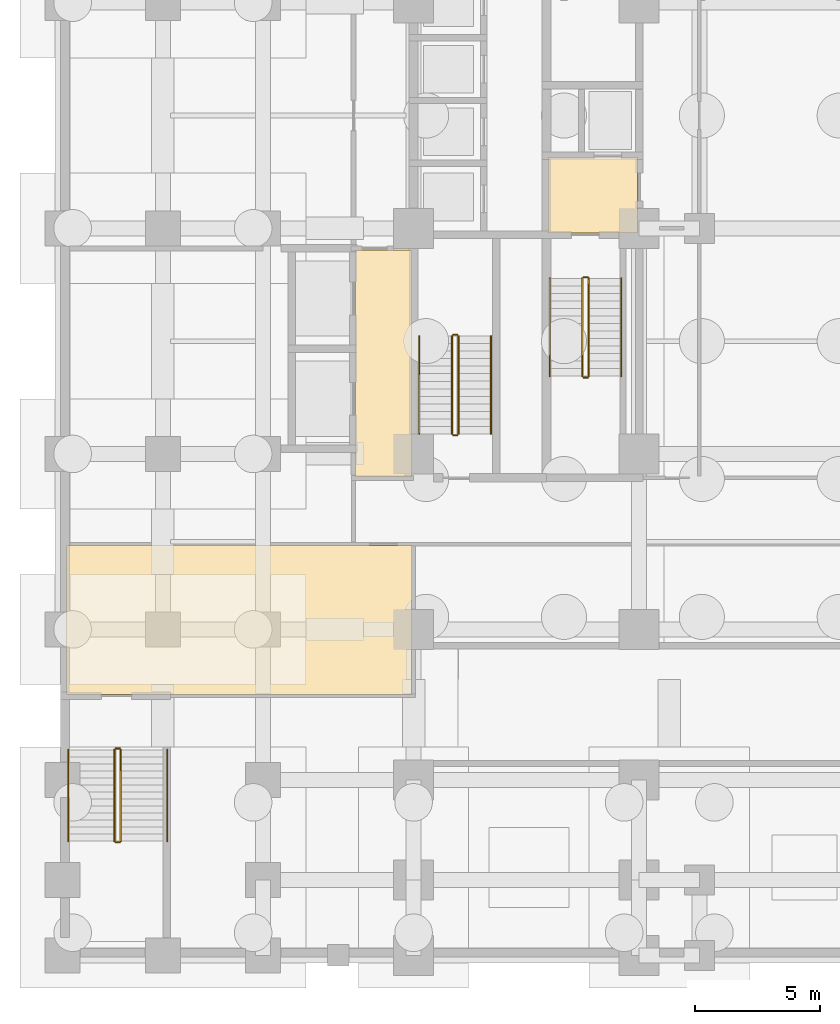
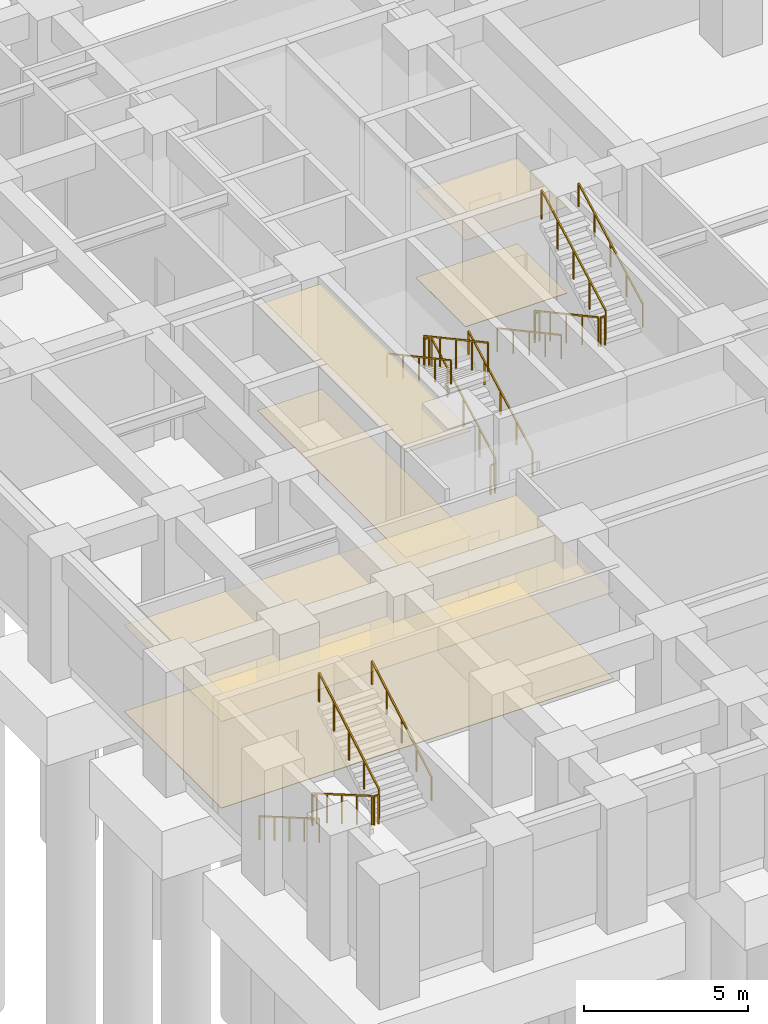
# One storey, part 10 of 16: 18 railings, 6 coverings.
"""IFC4 building model written with IfcOpenShell, lengths in metres."""

import ifcopenshell
import ifcopenshell.guid

model = None  # the IFC model being written
_history = None  # IfcOwnerHistory: only IFC2X3 demands one
_inside = {}  # id of a spatial element -> (the spatial element, [elements in it])
_under = {}  # id of a project, library or spatial element -> (it, [spatial elements below it])
_declared = {}  # id of a project -> (the project, [libraries it declares])
_typed = {}  # id of a type object -> (the type object, [elements of that type])
_made_of = {}  # id of a material, layer set ... -> (it, [elements and type objects made of it])


def new_model(schema):
    """Start an empty IFC model of exactly this schema.

    Asked for "IFC4X3", IfcOpenShell would pick the latest addendum, in which some entities
    have other attributes; the version numbers below select the first issue.
    IFC2X3 requires an IfcOwnerHistory on every rooted entity: one is made here for all.
    """
    global model, _history
    if schema == "IFC4X3":
        model = ifcopenshell.file(schema_version=(4, 3, 0, 0))
    else:
        model = ifcopenshell.file(schema=schema)
    _inside.clear()
    _under.clear()
    _declared.clear()
    _typed.clear()
    _made_of.clear()
    _history = None
    if model.schema == "IFC2X3":
        org = make("IfcOrganization", Name="unknown")
        user = make(
            "IfcPersonAndOrganization",
            ThePerson=make("IfcPerson", FamilyName="unknown"),
            TheOrganization=org,
        )
        app = make(
            "IfcApplication",
            ApplicationDeveloper=org,
            Version="unknown",
            ApplicationFullName="unknown",
            ApplicationIdentifier="unknown",
        )
        _history = make(
            "IfcOwnerHistory",
            OwningUser=user,
            OwningApplication=app,
            ChangeAction="ADDED",
            CreationDate=0,
        )
    return model


def make(cls, **values):
    """One entity of the class cls with the attributes given. An attribute that is None is left unset."""
    return model.create_entity(
        cls, **{name: value for name, value in values.items() if value is not None}
    )


def rooted(cls, **values):
    """An entity with a GlobalId (a new one), such as an element, a storey or a relation."""
    return make(cls, GlobalId=ifcopenshell.guid.new(), OwnerHistory=_history, **values)


def si_unit(unit_type, name, prefix=None):
    """IfcSIUnit, for example si_unit("LENGTHUNIT", "METRE", prefix="MILLI")."""
    return make("IfcSIUnit", UnitType=unit_type, Prefix=prefix, Name=name)


def assignment(units):
    """IfcUnitAssignment: the units of a project."""
    return None if units is None else make("IfcUnitAssignment", Units=units)


def point(xyz):
    """IfcCartesianPoint."""
    return None if xyz is None else make("IfcCartesianPoint", Coordinates=xyz)


def direction(xyz):
    """IfcDirection."""
    return None if xyz is None else make("IfcDirection", DirectionRatios=xyz)


def frame(location, z_axis=None, x_axis=None):
    """IfcAxis2Placement3D, a coordinate frame: its origin and axes. An axis left out is left unset."""
    return make(
        "IfcAxis2Placement3D",
        Location=point(location),
        Axis=direction(z_axis),
        RefDirection=direction(x_axis),
    )


def frame_2d(location, x_axis=None):
    """IfcAxis2Placement2D, a coordinate frame in the plane: its origin and x axis."""
    return make(
        "IfcAxis2Placement2D", Location=point(location), RefDirection=direction(x_axis)
    )


def origin():
    """The frame at (0, 0, 0) with its axes left unset."""
    return frame((0.0, 0.0, 0.0))


def origin_2d():
    """The frame at (0, 0) in the plane with its x axis left unset."""
    return frame_2d((0.0, 0.0))


def place(relative_to, where):
    """IfcLocalPlacement: puts the frame where relative to a parent placement (None: the world)."""
    return make(
        "IfcLocalPlacement", PlacementRelTo=relative_to, RelativePlacement=where
    )


def context(
    kind, dimensions, precision=None, world=None, true_north=None, identifier=None
):
    """IfcGeometricRepresentationContext, for example the 3D "Model" context."""
    return make(
        "IfcGeometricRepresentationContext",
        ContextIdentifier=identifier,
        ContextType=kind,
        CoordinateSpaceDimension=dimensions,
        Precision=precision,
        WorldCoordinateSystem=world,
        TrueNorth=true_north,
    )


def subcontext(parent, identifier, kind, view, scale=None):
    """IfcGeometricRepresentationSubContext, for example "Body" below "Model"."""
    return make(
        "IfcGeometricRepresentationSubContext",
        ContextIdentifier=identifier,
        ContextType=kind,
        ParentContext=parent,
        TargetScale=scale,
        TargetView=view,
    )


def project(units=None, contexts=None):
    """IfcProject with its units and contexts."""
    return rooted(
        "IfcProject",
        Name="project",
        RepresentationContexts=contexts,
        UnitsInContext=assignment(units),
    )


def spatial(cls, under=None, at=None, **own):
    """A site, building, storey or space (cls), placed at a placement, below another one or the project."""
    s = rooted(cls, ObjectPlacement=at, **own)
    if under is not None:
        _under.setdefault(under.id(), (under, []))[1].append(s)
    return s


def polyline(points):
    """IfcPolyline through the points."""
    return make("IfcPolyline", Points=[point(p) for p in points])


def profile(cls, at=None, kind="AREA", **sizes):
    """A parametric profile (cls). Its sizes go by their IFC names, for example OverallWidth=200.0."""
    return make(cls, ProfileType=kind, Position=at, **sizes)


def rectangle(**sizes):
    """IfcRectangleProfileDef."""
    return profile("IfcRectangleProfileDef", **sizes)


def outline(outer, holes=None, kind="AREA"):
    """IfcArbitraryClosedProfileDef: a profile drawn as a closed curve; with holes, ...WithVoids."""
    if holes is None:
        return make("IfcArbitraryClosedProfileDef", ProfileType=kind, OuterCurve=outer)
    return make(
        "IfcArbitraryProfileDefWithVoids",
        ProfileType=kind,
        OuterCurve=outer,
        InnerCurves=holes,
    )


def extrude(swept, where, along, depth):
    """IfcExtrudedAreaSolid: the profile swept, set in the frame where, extruded along a direction by depth."""
    return make(
        "IfcExtrudedAreaSolid",
        SweptArea=swept,
        Position=where,
        ExtrudedDirection=direction(along),
        Depth=depth,
    )


def shape(context_of_items, identifier, shape_type, items):
    """IfcShapeRepresentation: the items that make up one representation, for example the "Body"."""
    return make(
        "IfcShapeRepresentation",
        ContextOfItems=context_of_items,
        RepresentationIdentifier=identifier,
        RepresentationType=shape_type,
        Items=items,
    )


def material(Name=None, Category=None):
    """IfcMaterial."""
    return make("IfcMaterial", Name=Name, Category=Category)


def layer(
    of_material, thickness, ventilated=None, Name=None, Category=None, Priority=None
):
    """IfcMaterialLayer: one layer of a wall or slab, of a material (None: an air gap)."""
    return make(
        "IfcMaterialLayer",
        Material=of_material,
        LayerThickness=thickness,
        IsVentilated=ventilated,
        Name=Name,
        Category=Category,
        Priority=Priority,
    )


def layer_set(layers, Name=None):
    """IfcMaterialLayerSet."""
    return make("IfcMaterialLayerSet", MaterialLayers=layers, LayerSetName=Name)


def made_of(thing, what):
    """Note that an element or type object is made of a material, layer set ...; save() writes the relation."""
    if what is not None:
        _made_of.setdefault(what.id(), (what, []))[1].append(thing)
    return thing


def type_object(cls, material=None, **own):
    """A type object (cls), such as IfcWallType, which elements share."""
    return made_of(rooted(cls, **own), material)


def element(
    cls,
    number,
    at=None,
    inside=None,
    cuts=None,
    type_object=None,
    material=None,
    context=None,
    identifier="Body",
    shape_type=None,
    held_by="IfcProductDefinitionShape",
    body=None,
    shapes=None,
    **own,
):
    """One element of the class cls, such as IfcWall. Its Tag is "e" and its number.

    at: its placement. inside: the storey or other place that contains it. cuts: it is an
    opening in that element (IfcRelVoidsElement). A single representation is given by context,
    identifier, shape_type and body (its items); several are given by shapes. held_by: the class
    of the entity that holds the representations. save() writes the other relations.
    """
    e = rooted(cls, Tag="e%d" % number, ObjectPlacement=at, **own)
    if body is not None:
        shapes = [shape(context, identifier, shape_type, body)]
    if shapes is not None:
        e.Representation = make(held_by, Representations=shapes)
    if inside is not None:
        _inside.setdefault(inside.id(), (inside, []))[1].append(e)
    if cuts is not None:
        rooted(
            "IfcRelVoidsElement", RelatingBuildingElement=cuts, RelatedOpeningElement=e
        )
    if type_object is not None:
        _typed.setdefault(type_object.id(), (type_object, []))[1].append(e)
    return made_of(e, material)


def aggregate(whole, parts):
    """IfcRelAggregates: a whole, such as a stair, and the parts it consists of."""
    return rooted("IfcRelAggregates", RelatingObject=whole, RelatedObjects=parts)


def save(model, path):
    """Write the relations noted so far, then the file.

    IfcRelAggregates (storeys below a building ...), IfcRelContainedInSpatialStructure (elements
    in a storey), IfcRelDefinesByType, IfcRelAssociatesMaterial and IfcRelDeclares: one each for
    every whole, place, type object, material and project.
    """
    for whole, parts in _under.values():
        aggregate(whole, parts)
    for where, things in _inside.values():
        rooted(
            "IfcRelContainedInSpatialStructure",
            RelatedElements=things,
            RelatingStructure=where,
        )
    for kind, things in _typed.values():
        rooted("IfcRelDefinesByType", RelatedObjects=things, RelatingType=kind)
    for what, things in _made_of.values():
        rooted("IfcRelAssociatesMaterial", RelatedObjects=things, RelatingMaterial=what)
    for by, libraries in _declared.values():
        rooted("IfcRelDeclares", RelatingContext=by, RelatedDefinitions=libraries)
    model.write(path)


model = new_model("IFC4")

# Units and contexts
model_context = context("Model", 3, precision=1e-05, world=origin(), true_north=direction((0.0, 1.0)))
body_context = subcontext(model_context, "Body", "Model", "MODEL_VIEW")
ifc_project = project(units=[si_unit("LENGTHUNIT", "METRE"), si_unit("AREAUNIT", "SQUARE_METRE"), si_unit("VOLUMEUNIT", "CUBIC_METRE"), si_unit("PLANEANGLEUNIT", "RADIAN"), si_unit("MASSUNIT", "GRAM", prefix="KILO")], contexts=[model_context])

# Site, building, storey
site_placement = place(None, origin())
site = spatial("IfcSite", under=ifc_project, at=site_placement, CompositionType="ELEMENT")
building_placement = place(site_placement, origin())
building = spatial("IfcBuilding", under=site, at=building_placement, Name="Zulmaris Gate Convention Tower", CompositionType="ELEMENT")
storey_placement = place(building_placement, frame((0.0, 0.0, -9.10009765625)))
storey = spatial("IfcBuildingStorey", under=building, at=storey_placement, Name="B2", CompositionType="ELEMENT", Elevation=-9.10009765625)

# Coverings
ifc_material_1 = material(Name="Mineral Fibre Acoustic Ceiling Tile")
ifc_layer_1 = layer(ifc_material_1, 0.02001953125, Name="Mineral Fibre Acoustic Ceiling Tile")
ifc_layer_set_1 = layer_set([ifc_layer_1], Name="Mineral Fibre Acoustic Ceiling Tile")
covering_type_1 = type_object("IfcCoveringType", Name="CLG-ACOUSTIC-600", PredefinedType="CEILING", material=ifc_layer_set_1)
covering_1_placement = place(storey_placement, frame((0.0, 0.0, 3.210205078125)))
element("IfcCovering", 1, at=covering_1_placement, inside=storey, type_object=covering_type_1, Name="CLG-B2-R03", PredefinedType="CEILING", context=body_context, shape_type="SweptSolid", body=[
    extrude(outline(polyline([(-14.639892578125, -0.18994140625), (-11.06005859375, -0.18994140625), (-11.06005859375, 2.840087890625), (-14.639892578125, 2.840087890625), (-14.639892578125, -0.18994140625)])), origin(), (0.0, 0.0, 1.0), 0.019775390625),
])
covering_2_placement = place(storey_placement, frame((0.0, 0.0, 3.920166015625)))
element("IfcCovering", 2, at=covering_2_placement, inside=storey, type_object=covering_type_1, Name="CLG-B2-R24", PredefinedType="CEILING", context=body_context, shape_type="SweptSolid", body=[
    extrude(outline(polyline([(-22.340087890625, -9.889892578125), (-20.06005859375, -9.889892578125), (-20.06005859375, -0.860107421875), (-22.340087890625, -0.860107421875), (-22.340087890625, -9.889892578125)])), origin(), (0.0, 0.0, 1.0), 0.02001953125),
])
covering_3_placement = place(storey_placement, frame((0.0, 0.0, 3.210205078125)))
element("IfcCovering", 3, at=covering_3_placement, inside=storey, type_object=covering_type_1, Name="CLG-B2-R35", PredefinedType="CEILING", context=body_context, shape_type="SweptSolid", body=[
    extrude(outline(polyline([(-33.840087890625, -18.590087890625), (-20.06005859375, -18.590087890625), (-20.06005859375, -12.659912109375), (-33.840087890625, -12.659912109375), (-33.840087890625, -18.590087890625)])), origin(), (0.0, 0.0, 1.0), 0.019775390625),
])
ifc_material_2 = material(Name="Woven Acoustic Wool Carpet Tile")
ifc_layer_2 = layer(ifc_material_2, 0.02001953125, Name="Woven Acoustic Wool Carpet Tile")
ifc_layer_set_2 = layer_set([ifc_layer_2], Name="Woven Acoustic Wool Carpet Tile")
covering_type_2 = type_object("IfcCoveringType", Name="FLR-CARPET-12", PredefinedType="FLOORING", material=ifc_layer_set_2)
covering_4_placement = place(storey_placement, origin())
element("IfcCovering", 4, at=covering_4_placement, inside=storey, type_object=covering_type_2, Name="FLR-B2-R03", PredefinedType="FLOORING", context=body_context, shape_type="SweptSolid", body=[
    extrude(outline(polyline([(-14.639892578125, -0.18994140625), (-11.06005859375, -0.18994140625), (-11.06005859375, 2.840087890625), (-14.639892578125, 2.840087890625), (-14.639892578125, -0.18994140625)])), origin(), (0.0, 0.0, 1.0), 0.02001953125),
])
covering_5_placement = place(storey_placement, origin())
element("IfcCovering", 5, at=covering_5_placement, inside=storey, type_object=covering_type_2, Name="FLR-B2-R24", PredefinedType="FLOORING", context=body_context, shape_type="SweptSolid", body=[
    extrude(outline(polyline([(-22.340087890625, -9.889892578125), (-20.06005859375, -9.889892578125), (-20.06005859375, -0.860107421875), (-22.340087890625, -0.860107421875), (-22.340087890625, -9.889892578125)])), origin(), (0.0, 0.0, 1.0), 0.02001953125),
])
covering_6_placement = place(storey_placement, origin())
element("IfcCovering", 6, at=covering_6_placement, inside=storey, type_object=covering_type_2, Name="FLR-B2-R35", PredefinedType="FLOORING", context=body_context, shape_type="SweptSolid", body=[
    extrude(outline(polyline([(-33.840087890625, -18.590087890625), (-20.06005859375, -18.590087890625), (-20.06005859375, -12.659912109375), (-33.840087890625, -12.659912109375), (-33.840087890625, -18.590087890625)])), origin(), (0.0, 0.0, 1.0), 0.02001953125),
])

# Railings
ifc_material_3 = material(Name="Painted Galvanised Steel", Category="steel")
railing_type_1 = type_object("IfcRailingType", Name="RL-STG-1150", PredefinedType="GUARDRAIL", material=ifc_material_3)
railing_1_placement = place(storey_placement, frame((-13.27001953125, -2.0, 0.16259765625)))
element("IfcRailing", 7, at=railing_1_placement, inside=storey, type_object=railing_type_1, Name="B2 ST-1 stair guard 1", PredefinedType="GUARDRAIL", context=body_context, shape_type="SweptSolid", body=[
    extrude(rectangle(XDim=0.048095703125, YDim=0.048095703125, at=origin_2d()), frame((0.0, 0.0, 1.076171875), z_axis=(0.0, -0.879282361261, 0.476300880931), x_axis=(1.0, 0.0, 0.0)), (0.0, 0.0, 1.0), 4.435302734375),
    extrude(rectangle(XDim=0.0419921875, YDim=0.0419921875, at=origin_2d()), origin(), (0.0, 0.0, 1.0), 1.052001953125),
    extrude(rectangle(XDim=0.0419921875, YDim=0.0419921875, at=origin_2d()), frame((0.0, -0.97509765625, 0.528076171875)), (0.0, 0.0, 1.0), 1.052001953125),
    extrude(rectangle(XDim=0.0419921875, YDim=0.0419921875, at=origin_2d()), frame((0.0, -1.949951171875, 1.05615234375)), (0.0, 0.0, 1.0), 1.052001953125),
    extrude(rectangle(XDim=0.0419921875, YDim=0.0419921875, at=origin_2d()), frame((0.0, -2.9248046875, 1.58447265625)), (0.0, 0.0, 1.0), 1.052001953125),
    extrude(rectangle(XDim=0.0419921875, YDim=0.0419921875, at=origin_2d()), frame((0.0, -3.89990234375, 2.112548828125)), (0.0, 0.0, 1.0), 1.052001953125),
])
railing_2_placement = place(storey_placement, frame((-13.219970703125, -5.949951171875, 2.275146484375)))
element("IfcRailing", 8, at=railing_2_placement, inside=storey, type_object=railing_type_1, Name="B2 ST-1 stair guard 2", PredefinedType="GUARDRAIL", context=body_context, shape_type="SweptSolid", body=[
    extrude(rectangle(XDim=0.048095703125, YDim=0.048095703125, at=origin_2d()), frame((0.0, 0.0, 1.076171875), z_axis=(1.0, 0.0, 0.0), x_axis=(0.0, 1.0, 0.0)), (0.0, 0.0, 1.0), 0.159912109375),
    extrude(rectangle(XDim=0.0419921875, YDim=0.0419921875, at=origin_2d()), origin(), (0.0, 0.0, 1.0), 1.052001953125),
    extrude(rectangle(XDim=0.0419921875, YDim=0.0419921875, at=origin_2d()), frame((0.159912109375, 0.0, 0.0)), (0.0, 0.0, 1.0), 1.052001953125),
])
railing_3_placement = place(storey_placement, frame((-13.010009765625, -5.89990234375, 2.4375)))
element("IfcRailing", 9, at=railing_3_placement, inside=storey, type_object=railing_type_1, Name="B2 ST-1 stair guard 3", PredefinedType="GUARDRAIL", context=body_context, shape_type="SweptSolid", body=[
    extrude(rectangle(XDim=0.048095703125, YDim=0.048095703125, at=origin_2d()), frame((0.0, 0.0, 1.076171875), z_axis=(0.0, 0.879282361261, 0.476300880931), x_axis=(-1.0, 0.0, 0.0)), (0.0, 0.0, 1.0), 4.435302734375),
    extrude(rectangle(XDim=0.0419921875, YDim=0.0419921875, at=origin_2d()), origin(), (0.0, 0.0, 1.0), 1.052001953125),
    extrude(rectangle(XDim=0.0419921875, YDim=0.0419921875, at=origin_2d()), frame((0.0, 0.97509765625, 0.528076171875)), (0.0, 0.0, 1.0), 1.052001953125),
    extrude(rectangle(XDim=0.0419921875, YDim=0.0419921875, at=origin_2d()), frame((0.0, 1.949951171875, 1.05615234375)), (0.0, 0.0, 1.0), 1.052001953125),
    extrude(rectangle(XDim=0.0419921875, YDim=0.0419921875, at=origin_2d()), frame((0.0, 2.9248046875, 1.58447265625)), (0.0, 0.0, 1.0), 1.052001953125),
    extrude(rectangle(XDim=0.0419921875, YDim=0.0419921875, at=origin_2d()), frame((0.0, 3.89990234375, 2.112548828125)), (0.0, 0.0, 1.0), 1.052001953125),
])
railing_4_placement = place(storey_placement, frame((-13.219970703125, -1.949951171875, 0.0)))
element("IfcRailing", 10, at=railing_4_placement, inside=storey, type_object=railing_type_1, Name="B2 ST-1 stair guard 4", PredefinedType="GUARDRAIL", context=body_context, shape_type="SweptSolid", body=[
    extrude(rectangle(XDim=0.048095703125, YDim=0.048095703125, at=origin_2d()), frame((0.0, 0.0, 1.076171875), z_axis=(1.0, 0.0, 0.0), x_axis=(0.0, 1.0, 0.0)), (0.0, 0.0, 1.0), 0.159912109375),
    extrude(rectangle(XDim=0.0419921875, YDim=0.0419921875, at=origin_2d()), origin(), (0.0, 0.0, 1.0), 1.052001953125),
    extrude(rectangle(XDim=0.0419921875, YDim=0.0419921875, at=origin_2d()), frame((0.159912109375, 0.0, 0.0)), (0.0, 0.0, 1.0), 1.052001953125),
])
railing_5_placement = place(storey_placement, frame((-18.2099609375, -8.199951171875, 0.16259765625)))
element("IfcRailing", 11, at=railing_5_placement, inside=storey, type_object=railing_type_1, Name="B2 ST-3 stair guard 1", PredefinedType="GUARDRAIL", context=body_context, shape_type="SweptSolid", body=[
    extrude(rectangle(XDim=0.048095703125, YDim=0.048095703125, at=origin_2d()), frame((0.0, 0.0, 1.076171875), z_axis=(0.0, 0.879282361261, 0.476300880931), x_axis=(-1.0, 0.0, 0.0)), (0.0, 0.0, 1.0), 4.435302734375),
    extrude(rectangle(XDim=0.0419921875, YDim=0.0419921875, at=origin_2d()), origin(), (0.0, 0.0, 1.0), 1.052001953125),
    extrude(rectangle(XDim=0.0419921875, YDim=0.0419921875, at=origin_2d()), frame((0.0, 0.97509765625, 0.528076171875)), (0.0, 0.0, 1.0), 1.052001953125),
    extrude(rectangle(XDim=0.0419921875, YDim=0.0419921875, at=origin_2d()), frame((0.0, 1.949951171875, 1.05615234375)), (0.0, 0.0, 1.0), 1.052001953125),
    extrude(rectangle(XDim=0.0419921875, YDim=0.0419921875, at=origin_2d()), frame((0.0, 2.9248046875, 1.58447265625)), (0.0, 0.0, 1.0), 1.052001953125),
    extrude(rectangle(XDim=0.0419921875, YDim=0.0419921875, at=origin_2d()), frame((0.0, 3.89990234375, 2.112548828125)), (0.0, 0.0, 1.0), 1.052001953125),
])
railing_6_placement = place(storey_placement, frame((-18.260009765625, -4.25, 2.275146484375)))
element("IfcRailing", 12, at=railing_6_placement, inside=storey, type_object=railing_type_1, Name="B2 ST-3 stair guard 2", PredefinedType="GUARDRAIL", context=body_context, shape_type="SweptSolid", body=[
    extrude(rectangle(XDim=0.048095703125, YDim=0.048095703125, at=origin_2d()), frame((0.0, 0.0, 1.076171875), z_axis=(-1.0, 0.0, 0.0), x_axis=(0.0, -1.0, 0.0)), (0.0, 0.0, 1.0), 0.159912109375),
    extrude(rectangle(XDim=0.0419921875, YDim=0.0419921875, at=origin_2d()), origin(), (0.0, 0.0, 1.0), 1.052001953125),
    extrude(rectangle(XDim=0.0419921875, YDim=0.0419921875, at=origin_2d()), frame((-0.159912109375, 0.0, 0.0)), (0.0, 0.0, 1.0), 1.052001953125),
])
railing_7_placement = place(storey_placement, frame((-18.469970703125, -4.300048828125, 2.4375)))
element("IfcRailing", 13, at=railing_7_placement, inside=storey, type_object=railing_type_1, Name="B2 ST-3 stair guard 3", PredefinedType="GUARDRAIL", context=body_context, shape_type="SweptSolid", body=[
    extrude(rectangle(XDim=0.048095703125, YDim=0.048095703125, at=origin_2d()), frame((0.0, 0.0, 1.076171875), z_axis=(0.0, -0.879282361261, 0.476300880931), x_axis=(1.0, 0.0, 0.0)), (0.0, 0.0, 1.0), 4.435302734375),
    extrude(rectangle(XDim=0.0419921875, YDim=0.0419921875, at=origin_2d()), origin(), (0.0, 0.0, 1.0), 1.052001953125),
    extrude(rectangle(XDim=0.0419921875, YDim=0.0419921875, at=origin_2d()), frame((0.0, -0.97509765625, 0.528076171875)), (0.0, 0.0, 1.0), 1.052001953125),
    extrude(rectangle(XDim=0.0419921875, YDim=0.0419921875, at=origin_2d()), frame((0.0, -1.949951171875, 1.05615234375)), (0.0, 0.0, 1.0), 1.052001953125),
    extrude(rectangle(XDim=0.0419921875, YDim=0.0419921875, at=origin_2d()), frame((0.0, -2.9248046875, 1.58447265625)), (0.0, 0.0, 1.0), 1.052001953125),
    extrude(rectangle(XDim=0.0419921875, YDim=0.0419921875, at=origin_2d()), frame((0.0, -3.89990234375, 2.112548828125)), (0.0, 0.0, 1.0), 1.052001953125),
])
railing_8_placement = place(storey_placement, frame((-18.260009765625, -8.25, 0.0)))
element("IfcRailing", 14, at=railing_8_placement, inside=storey, type_object=railing_type_1, Name="B2 ST-3 stair guard 4", PredefinedType="GUARDRAIL", context=body_context, shape_type="SweptSolid", body=[
    extrude(rectangle(XDim=0.048095703125, YDim=0.048095703125, at=origin_2d()), frame((0.0, 0.0, 1.076171875), z_axis=(-1.0, 0.0, 0.0), x_axis=(0.0, -1.0, 0.0)), (0.0, 0.0, 1.0), 0.159912109375),
    extrude(rectangle(XDim=0.0419921875, YDim=0.0419921875, at=origin_2d()), origin(), (0.0, 0.0, 1.0), 1.052001953125),
    extrude(rectangle(XDim=0.0419921875, YDim=0.0419921875, at=origin_2d()), frame((-0.159912109375, 0.0, 0.0)), (0.0, 0.0, 1.0), 1.052001953125),
])
railing_9_placement = place(storey_placement, frame((-31.929931640625, -20.800048828125, 0.16259765625)))
element("IfcRailing", 15, at=railing_9_placement, inside=storey, type_object=railing_type_1, Name="B2 ST-4 stair guard 1", PredefinedType="GUARDRAIL", context=body_context, shape_type="SweptSolid", body=[
    extrude(rectangle(XDim=0.048095703125, YDim=0.048095703125, at=origin_2d()), frame((0.0, 0.0, 1.076171875), z_axis=(0.0, -0.864885630581, 0.501968969174), x_axis=(1.0, 0.0, 0.0)), (0.0, 0.0, 1.0), 4.20849609375),
    extrude(rectangle(XDim=0.0419921875, YDim=0.0419921875, at=origin_2d()), origin(), (0.0, 0.0, 1.0), 1.052001953125),
    extrude(rectangle(XDim=0.0419921875, YDim=0.0419921875, at=origin_2d()), frame((0.0, -0.909912109375, 0.528076171875)), (0.0, 0.0, 1.0), 1.052001953125),
    extrude(rectangle(XDim=0.0419921875, YDim=0.0419921875, at=origin_2d()), frame((0.0, -1.81982421875, 1.05615234375)), (0.0, 0.0, 1.0), 1.052001953125),
    extrude(rectangle(XDim=0.0419921875, YDim=0.0419921875, at=origin_2d()), frame((0.0, -2.72998046875, 1.58447265625)), (0.0, 0.0, 1.0), 1.052001953125),
    extrude(rectangle(XDim=0.0419921875, YDim=0.0419921875, at=origin_2d()), frame((0.0, -3.639892578125, 2.112548828125)), (0.0, 0.0, 1.0), 1.052001953125),
])
railing_10_placement = place(storey_placement, frame((-31.8798828125, -24.489990234375, 2.275146484375)))
element("IfcRailing", 16, at=railing_10_placement, inside=storey, type_object=railing_type_1, Name="B2 ST-4 stair guard 2", PredefinedType="GUARDRAIL", context=body_context, shape_type="SweptSolid", body=[
    extrude(rectangle(XDim=0.048095703125, YDim=0.048095703125, at=origin_2d()), frame((0.0, 0.0, 1.076171875), z_axis=(1.0, 0.0, 0.0), x_axis=(0.0, 1.0, 0.0)), (0.0, 0.0, 1.0), 0.14990234375),
    extrude(rectangle(XDim=0.0419921875, YDim=0.0419921875, at=origin_2d()), origin(), (0.0, 0.0, 1.0), 1.052001953125),
    extrude(rectangle(XDim=0.0419921875, YDim=0.0419921875, at=origin_2d()), frame((0.14990234375, 0.0, 0.0)), (0.0, 0.0, 1.0), 1.052001953125),
])
railing_11_placement = place(storey_placement, frame((-31.679931640625, -24.43994140625, 2.4375)))
element("IfcRailing", 17, at=railing_11_placement, inside=storey, type_object=railing_type_1, Name="B2 ST-4 stair guard 3", PredefinedType="GUARDRAIL", context=body_context, shape_type="SweptSolid", body=[
    extrude(rectangle(XDim=0.048095703125, YDim=0.048095703125, at=origin_2d()), frame((0.0, 0.0, 1.076171875), z_axis=(0.0, 0.864885630581, 0.501968969174), x_axis=(-1.0, 0.0, 0.0)), (0.0, 0.0, 1.0), 4.20849609375),
    extrude(rectangle(XDim=0.0419921875, YDim=0.0419921875, at=origin_2d()), origin(), (0.0, 0.0, 1.0), 1.052001953125),
    extrude(rectangle(XDim=0.0419921875, YDim=0.0419921875, at=origin_2d()), frame((0.0, 0.909912109375, 0.528076171875)), (0.0, 0.0, 1.0), 1.052001953125),
    extrude(rectangle(XDim=0.0419921875, YDim=0.0419921875, at=origin_2d()), frame((0.0, 1.81982421875, 1.05615234375)), (0.0, 0.0, 1.0), 1.052001953125),
    extrude(rectangle(XDim=0.0419921875, YDim=0.0419921875, at=origin_2d()), frame((0.0, 2.72998046875, 1.58447265625)), (0.0, 0.0, 1.0), 1.052001953125),
    extrude(rectangle(XDim=0.0419921875, YDim=0.0419921875, at=origin_2d()), frame((0.0, 3.639892578125, 2.112548828125)), (0.0, 0.0, 1.0), 1.052001953125),
])
railing_12_placement = place(storey_placement, frame((-31.8798828125, -20.75, 0.0)))
element("IfcRailing", 18, at=railing_12_placement, inside=storey, type_object=railing_type_1, Name="B2 ST-4 stair guard 4", PredefinedType="GUARDRAIL", context=body_context, shape_type="SweptSolid", body=[
    extrude(rectangle(XDim=0.048095703125, YDim=0.048095703125, at=origin_2d()), frame((0.0, 0.0, 1.076171875), z_axis=(1.0, 0.0, 0.0), x_axis=(0.0, 1.0, 0.0)), (0.0, 0.0, 1.0), 0.14990234375),
    extrude(rectangle(XDim=0.0419921875, YDim=0.0419921875, at=origin_2d()), origin(), (0.0, 0.0, 1.0), 1.052001953125),
    extrude(rectangle(XDim=0.0419921875, YDim=0.0419921875, at=origin_2d()), frame((0.14990234375, 0.0, 0.0)), (0.0, 0.0, 1.0), 1.052001953125),
])
ifc_material_4 = material(Name="Brushed Stainless Steel", Category="steel")
railing_type_2 = type_object("IfcRailingType", Name="RL-STH-900", PredefinedType="HANDRAIL", material=ifc_material_4)
railing_13_placement = place(storey_placement, frame((-14.570068359375, -2.0, 0.16259765625)))
element("IfcRailing", 19, at=railing_13_placement, inside=storey, type_object=railing_type_2, Name="B2 ST-1 stair handrail 1", PredefinedType="HANDRAIL", context=body_context, shape_type="SweptSolid", body=[
    extrude(rectangle(XDim=0.048095703125, YDim=0.048095703125, at=origin_2d()), frame((0.0, 0.0, 0.8759765625), z_axis=(0.0, -0.879282361261, 0.476300880931), x_axis=(1.0, 0.0, 0.0)), (0.0, 0.0, 1.0), 4.435302734375),
    extrude(rectangle(XDim=0.0419921875, YDim=0.0419921875, at=origin_2d()), origin(), (0.0, 0.0, 1.0), 0.851806640625),
    extrude(rectangle(XDim=0.0419921875, YDim=0.0419921875, at=origin_2d()), frame((0.0, -0.97509765625, 0.528076171875)), (0.0, 0.0, 1.0), 0.851806640625),
    extrude(rectangle(XDim=0.0419921875, YDim=0.0419921875, at=origin_2d()), frame((0.0, -1.949951171875, 1.05615234375)), (0.0, 0.0, 1.0), 0.851806640625),
    extrude(rectangle(XDim=0.0419921875, YDim=0.0419921875, at=origin_2d()), frame((0.0, -2.9248046875, 1.58447265625)), (0.0, 0.0, 1.0), 0.851806640625),
    extrude(rectangle(XDim=0.0419921875, YDim=0.0419921875, at=origin_2d()), frame((0.0, -3.89990234375, 2.112548828125)), (0.0, 0.0, 1.0), 0.851806640625),
])
for number, where, name in (
    (20, (-11.7099609375, -5.89990234375, 2.4375), "B2 ST-1 stair handrail 2"),
    (21, (-16.909912109375, -8.199951171875, 0.16259765625), "B2 ST-3 stair handrail 1"),
):
    element("IfcRailing", number, at=place(storey_placement, frame(where)), inside=storey, type_object=railing_type_2, Name=name, PredefinedType="HANDRAIL", context=body_context, shape_type="SweptSolid", body=[
        extrude(rectangle(XDim=0.048095703125, YDim=0.048095703125, at=origin_2d()), frame((0.0, 0.0, 0.8759765625), z_axis=(0.0, 0.879282361261, 0.476300880931), x_axis=(-1.0, 0.0, 0.0)), (0.0, 0.0, 1.0), 4.435302734375),
        extrude(rectangle(XDim=0.0419921875, YDim=0.0419921875, at=origin_2d()), origin(), (0.0, 0.0, 1.0), 0.851806640625),
        extrude(rectangle(XDim=0.0419921875, YDim=0.0419921875, at=origin_2d()), frame((0.0, 0.97509765625, 0.528076171875)), (0.0, 0.0, 1.0), 0.851806640625),
        extrude(rectangle(XDim=0.0419921875, YDim=0.0419921875, at=origin_2d()), frame((0.0, 1.949951171875, 1.05615234375)), (0.0, 0.0, 1.0), 0.851806640625),
        extrude(rectangle(XDim=0.0419921875, YDim=0.0419921875, at=origin_2d()), frame((0.0, 2.9248046875, 1.58447265625)), (0.0, 0.0, 1.0), 0.851806640625),
        extrude(rectangle(XDim=0.0419921875, YDim=0.0419921875, at=origin_2d()), frame((0.0, 3.89990234375, 2.112548828125)), (0.0, 0.0, 1.0), 0.851806640625),
    ])
railing_14_placement = place(storey_placement, frame((-19.77001953125, -4.300048828125, 2.4375)))
element("IfcRailing", 22, at=railing_14_placement, inside=storey, type_object=railing_type_2, Name="B2 ST-3 stair handrail 2", PredefinedType="HANDRAIL", context=body_context, shape_type="SweptSolid", body=[
    extrude(rectangle(XDim=0.048095703125, YDim=0.048095703125, at=origin_2d()), frame((0.0, 0.0, 0.8759765625), z_axis=(0.0, -0.879282361261, 0.476300880931), x_axis=(1.0, 0.0, 0.0)), (0.0, 0.0, 1.0), 4.435302734375),
    extrude(rectangle(XDim=0.0419921875, YDim=0.0419921875, at=origin_2d()), origin(), (0.0, 0.0, 1.0), 0.851806640625),
    extrude(rectangle(XDim=0.0419921875, YDim=0.0419921875, at=origin_2d()), frame((0.0, -0.97509765625, 0.528076171875)), (0.0, 0.0, 1.0), 0.851806640625),
    extrude(rectangle(XDim=0.0419921875, YDim=0.0419921875, at=origin_2d()), frame((0.0, -1.949951171875, 1.05615234375)), (0.0, 0.0, 1.0), 0.851806640625),
    extrude(rectangle(XDim=0.0419921875, YDim=0.0419921875, at=origin_2d()), frame((0.0, -2.9248046875, 1.58447265625)), (0.0, 0.0, 1.0), 0.851806640625),
    extrude(rectangle(XDim=0.0419921875, YDim=0.0419921875, at=origin_2d()), frame((0.0, -3.89990234375, 2.112548828125)), (0.0, 0.0, 1.0), 0.851806640625),
])
railing_15_placement = place(storey_placement, frame((-33.780029296875, -20.800048828125, 0.16259765625)))
element("IfcRailing", 23, at=railing_15_placement, inside=storey, type_object=railing_type_2, Name="B2 ST-4 stair handrail 1", PredefinedType="HANDRAIL", context=body_context, shape_type="SweptSolid", body=[
    extrude(rectangle(XDim=0.048095703125, YDim=0.048095703125, at=origin_2d()), frame((0.0, 0.0, 0.8759765625), z_axis=(0.0, -0.864885630581, 0.501968969174), x_axis=(1.0, 0.0, 0.0)), (0.0, 0.0, 1.0), 4.20849609375),
    extrude(rectangle(XDim=0.0419921875, YDim=0.0419921875, at=origin_2d()), origin(), (0.0, 0.0, 1.0), 0.851806640625),
    extrude(rectangle(XDim=0.0419921875, YDim=0.0419921875, at=origin_2d()), frame((0.0, -0.909912109375, 0.528076171875)), (0.0, 0.0, 1.0), 0.851806640625),
    extrude(rectangle(XDim=0.0419921875, YDim=0.0419921875, at=origin_2d()), frame((0.0, -1.81982421875, 1.05615234375)), (0.0, 0.0, 1.0), 0.851806640625),
    extrude(rectangle(XDim=0.0419921875, YDim=0.0419921875, at=origin_2d()), frame((0.0, -2.72998046875, 1.58447265625)), (0.0, 0.0, 1.0), 0.851806640625),
    extrude(rectangle(XDim=0.0419921875, YDim=0.0419921875, at=origin_2d()), frame((0.0, -3.639892578125, 2.112548828125)), (0.0, 0.0, 1.0), 0.851806640625),
])
railing_16_placement = place(storey_placement, frame((-29.830078125, -24.43994140625, 2.4375)))
element("IfcRailing", 24, at=railing_16_placement, inside=storey, type_object=railing_type_2, Name="B2 ST-4 stair handrail 2", PredefinedType="HANDRAIL", context=body_context, shape_type="SweptSolid", body=[
    extrude(rectangle(XDim=0.048095703125, YDim=0.048095703125, at=origin_2d()), frame((0.0, 0.0, 0.8759765625), z_axis=(0.0, 0.864885630581, 0.501968969174), x_axis=(-1.0, 0.0, 0.0)), (0.0, 0.0, 1.0), 4.20849609375),
    extrude(rectangle(XDim=0.0419921875, YDim=0.0419921875, at=origin_2d()), origin(), (0.0, 0.0, 1.0), 0.851806640625),
    extrude(rectangle(XDim=0.0419921875, YDim=0.0419921875, at=origin_2d()), frame((0.0, 0.909912109375, 0.528076171875)), (0.0, 0.0, 1.0), 0.851806640625),
    extrude(rectangle(XDim=0.0419921875, YDim=0.0419921875, at=origin_2d()), frame((0.0, 1.81982421875, 1.05615234375)), (0.0, 0.0, 1.0), 0.851806640625),
    extrude(rectangle(XDim=0.0419921875, YDim=0.0419921875, at=origin_2d()), frame((0.0, 2.72998046875, 1.58447265625)), (0.0, 0.0, 1.0), 0.851806640625),
    extrude(rectangle(XDim=0.0419921875, YDim=0.0419921875, at=origin_2d()), frame((0.0, 3.639892578125, 2.112548828125)), (0.0, 0.0, 1.0), 0.851806640625),
])

save(model, "model.ifc")
